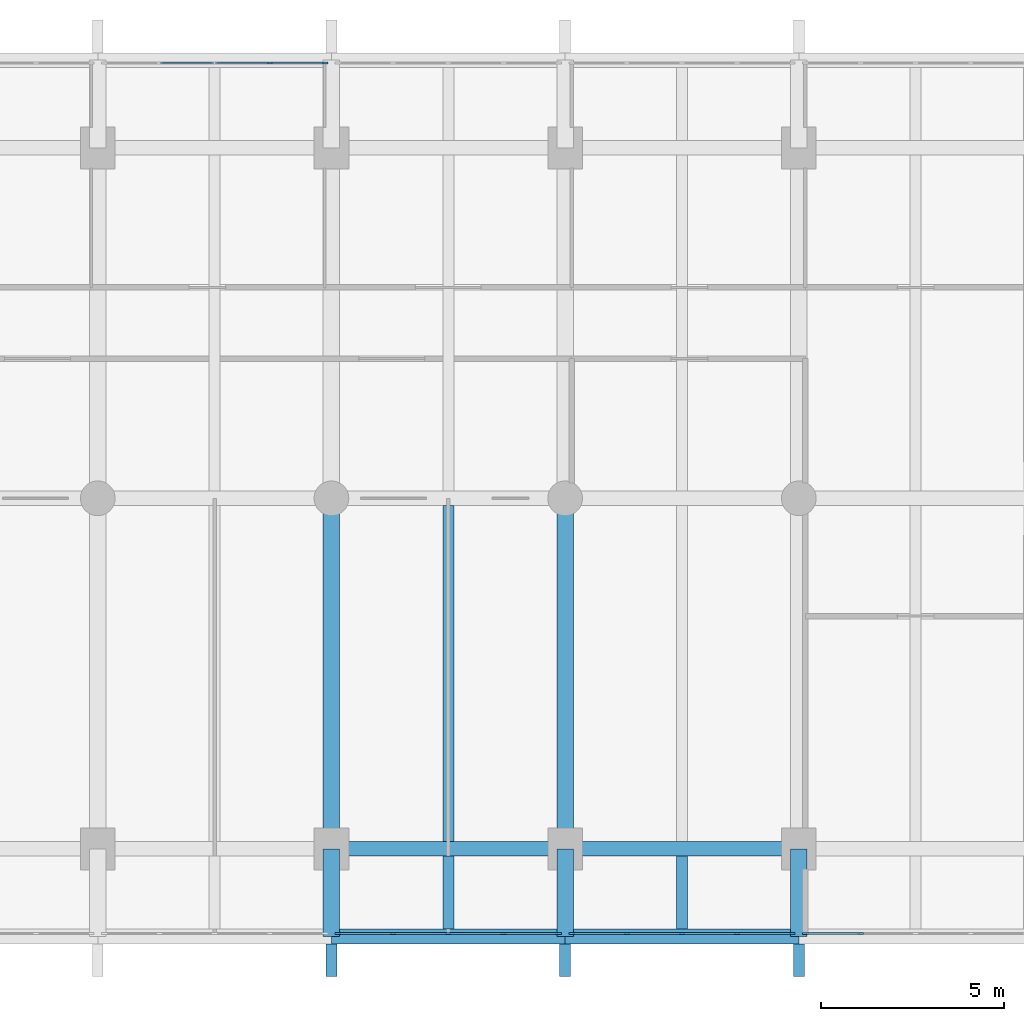
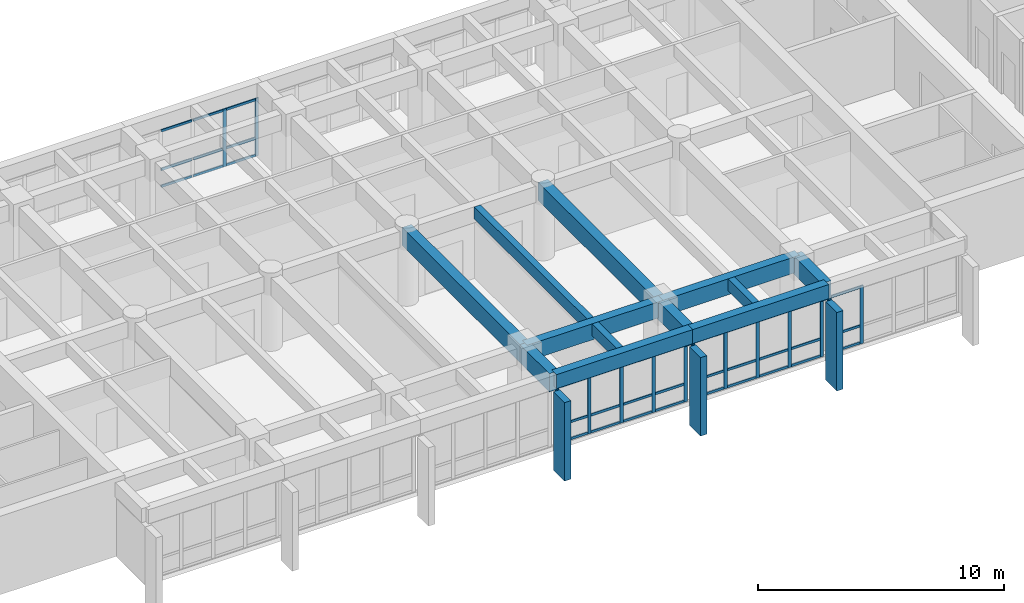
# One storey, part 4 of 15: 53 members, 12 beams, 4 elements without a shape of their own.
"""IFC4 building model written with IfcOpenShell, lengths in metres."""

from ifc_helpers import new_model, si_unit, direction, frame, origin, origin_2d, place, context, subcontext, project, spatial, rectangle, extrude, material, layer, layer_set, material_profile, profile_set, type_object, element, aggregate, save


model = new_model("IFC4")

# Units and contexts
model_context = context("Model", 3, precision=1e-05, world=origin(), true_north=direction((0.0, 1.0)))
body_context = subcontext(model_context, "Body", "Model", "MODEL_VIEW")
ifc_project = project(units=[si_unit("LENGTHUNIT", "METRE"), si_unit("AREAUNIT", "SQUARE_METRE"), si_unit("VOLUMEUNIT", "CUBIC_METRE"), si_unit("PLANEANGLEUNIT", "RADIAN"), si_unit("MASSUNIT", "GRAM", prefix="KILO")], contexts=[model_context])

# Site, building, storey
site_placement = place(None, origin())
site = spatial("IfcSite", under=ifc_project, at=site_placement, CompositionType="ELEMENT")
building_placement = place(site_placement, origin())
building = spatial("IfcBuilding", under=site, at=building_placement, Name="Fogon Plaza Fire Station and Headquarters Tower", CompositionType="ELEMENT")
storey_placement = place(building_placement, frame((0.0, 0.0, 40.5)))
storey = spatial("IfcBuildingStorey", under=building, at=storey_placement, Name="L10", CompositionType="ELEMENT", Elevation=40.5)

# Beams
ifc_material_1 = material(Name="Concrete C40", Category="concrete")
ifc_material_profile_1 = material_profile(ifc_material_1, rectangle(XDim=0.39990234375, YDim=0.699951171875, at=origin_2d()), Name="RC 400x700")
ifc_profile_set_1 = profile_set([ifc_material_profile_1], Name="Concrete C40")
beam_type_1 = type_object("IfcBeamType", Name="BEAM RC 400x700", PredefinedType="BEAM", material=ifc_profile_set_1)
beam_1_placement = place(storey_placement, frame((44.800048828125, 31.199951171875, 3.330078125), z_axis=(1.0, 0.0, 0.0), x_axis=(0.0, 1.0, 0.0)))
element("IfcBeam", 1, at=beam_1_placement, inside=storey, type_object=beam_type_1, Name="beam-L10-042", PredefinedType="BEAM", context=body_context, shape_type="SweptSolid", body=[
    extrude(rectangle(XDim=0.39990234375, YDim=0.699951171875, at=origin_2d()), origin(), (0.0, 0.0, 1.0), 6.39990234375),
])
beam_2_placement = place(storey_placement, frame((51.199951171875, 31.199951171875, 3.330078125), z_axis=(1.0, 0.0, 0.0), x_axis=(0.0, 1.0, 0.0)))
element("IfcBeam", 2, at=beam_2_placement, inside=storey, type_object=beam_type_1, Name="beam-L10-043", PredefinedType="BEAM", context=body_context, shape_type="SweptSolid", body=[
    extrude(rectangle(XDim=0.39990234375, YDim=0.699951171875, at=origin_2d()), origin(), (0.0, 0.0, 1.0), 6.400146484375),
])
ifc_material_2 = material(Name="Concrete C40", Category="concrete")
ifc_material_profile_2 = material_profile(ifc_material_2, rectangle(XDim=0.39990234375, YDim=0.800048828125, at=origin_2d()), Name="RC 400x800")
ifc_profile_set_2 = profile_set([ifc_material_profile_2], Name="Concrete C40")
beam_type_2 = type_object("IfcBeamType", Name="BEAM RC 400x800", PredefinedType="BEAM", material=ifc_profile_set_2)
beam_3_placement = place(storey_placement, frame((44.800048828125, 33.60009765625, 3.280029296875), z_axis=(1.0, 0.0, 0.0), x_axis=(0.0, 1.0, 0.0)))
element("IfcBeam", 3, at=beam_3_placement, inside=storey, type_object=beam_type_2, Name="beam-L10-024", PredefinedType="BEAM", context=body_context, shape_type="SweptSolid", body=[
    extrude(rectangle(XDim=0.39990234375, YDim=0.800048828125, at=origin_2d()), origin(), (0.0, 0.0, 1.0), 6.39990234375),
])
beam_4_placement = place(storey_placement, frame((51.199951171875, 33.60009765625, 3.280029296875), z_axis=(1.0, 0.0, 0.0), x_axis=(0.0, 1.0, 0.0)))
element("IfcBeam", 4, at=beam_4_placement, inside=storey, type_object=beam_type_2, Name="beam-L10-025", PredefinedType="BEAM", context=body_context, shape_type="SweptSolid", body=[
    extrude(rectangle(XDim=0.39990234375, YDim=0.800048828125, at=origin_2d()), origin(), (0.0, 0.0, 1.0), 6.400146484375),
])
ifc_material_3 = material(Name="Concrete C40", Category="concrete")
ifc_material_profile_3 = material_profile(ifc_material_3, rectangle(XDim=0.449951171875, YDim=0.89990234375, at=origin_2d()), Name="RC 450x900")
ifc_profile_set_3 = profile_set([ifc_material_profile_3], Name="Concrete C40")
beam_type_3 = type_object("IfcBeamType", Name="BEAM RC 450x900", PredefinedType="BEAM", material=ifc_profile_set_3)
for number, where, z_axis, x_axis, name in (
    (5, (44.800048828125, 33.60009765625, 3.22998046875), (0.0, 1.0, 0.0), (-1.0, 0.0, 0.0), "beam-L10-010"),
    (6, (51.199951171875, 33.60009765625, 3.22998046875), (0.0, 1.0, 0.0), (-1.0, 0.0, 0.0), "beam-L10-014"),
):
    element("IfcBeam", number, at=place(storey_placement, frame(where, z_axis=z_axis, x_axis=x_axis)), inside=storey, type_object=beam_type_3, Name=name, PredefinedType="BEAM", context=body_context, shape_type="SweptSolid", body=[
        extrude(rectangle(XDim=0.449951171875, YDim=0.89990234375, at=origin_2d()), origin(), (0.0, 0.0, 1.0), 9.599853515625),
    ])
ifc_material_4 = material(Name="Concrete C40", Category="concrete")
ifc_material_profile_4 = material_profile(ifc_material_4, rectangle(XDim=0.449951171875, YDim=0.89990234375, at=origin_2d()), Name="RC 450x900")
ifc_profile_set_4 = profile_set([ifc_material_profile_4], Name="Concrete C40")
beam_type_4 = type_object("IfcBeamType", Name="BEAM RC 450x900 SPAN 0.0 TO 3.0 M", PredefinedType="BEAM", material=ifc_profile_set_4)
for number, where, z_axis, x_axis, name in (
    (7, (44.800048828125, 31.199951171875, 3.22998046875), (0.0, 1.0, 0.0), (-1.0, 0.0, 0.0), "beam-L10-009"),
    (8, (51.199951171875, 31.199951171875, 3.22998046875), (0.0, 1.0, 0.0), (-1.0, 0.0, 0.0), "beam-L10-013"),
    (9, (57.60009765625, 31.199951171875, 3.22998046875), (0.0, 1.0, 0.0), (-1.0, 0.0, 0.0), "beam-L10-017"),
):
    element("IfcBeam", number, at=place(storey_placement, frame(where, z_axis=z_axis, x_axis=x_axis)), inside=storey, type_object=beam_type_4, Name=name, PredefinedType="BEAM", context=body_context, shape_type="SweptSolid", body=[
        extrude(rectangle(XDim=0.449951171875, YDim=0.89990234375, at=origin_2d()), origin(), (0.0, 0.0, 1.0), 2.400146484375),
    ])

# Curtain wall, members
ifc_material_5 = material(Name="Aluminium and glass", Category="aluminium")
ifc_layer = layer(ifc_material_5, 0.14990234375)
ifc_layer_set = layer_set([ifc_layer], Name="Aluminium and glass")
curtain_wall_type = type_object("IfcCurtainWallType", Name="Unitised Curtain Wall Run 6100x2880", PredefinedType="NOTDEFINED", material=ifc_layer_set)
curtain_wall_1_placement = place(storey_placement, origin())
curtain_wall_1 = element("IfcCurtainWall", 10, at=curtain_wall_1_placement, inside=storey, type_object=curtain_wall_type, Name="CW-6100x2880 S4 L10", PredefinedType="NOTDEFINED")
ifc_material_6 = material(Name="Aluminium", Category="aluminium")
ifc_material_profile_5 = material_profile(ifc_material_6, rectangle(XDim=0.06005859375, YDim=0.159912109375, at=origin_2d()), Name="Curtain Wall Mullion 60x160")
ifc_profile_set_5 = profile_set([ifc_material_profile_5], Name="Aluminium")
member_type_1 = type_object("IfcMemberType", Name="Curtain Wall Mullion 60x160", PredefinedType="MULLION", material=ifc_profile_set_5)
member_1_placement = place(storey_placement, frame((44.97998046875, 31.280029296875, 0.0), z_axis=(0.0, 0.0, 1.0), x_axis=(0.0, 1.0, 0.0)))
member_1 = element("IfcMember", 11, at=member_1_placement, type_object=member_type_1, Name="CW-6100x2880 mullion 1", PredefinedType="MULLION", context=body_context, shape_type="SweptSolid", body=[
    extrude(rectangle(XDim=0.06005859375, YDim=0.159912109375, at=origin_2d()), origin(), (0.0, 0.0, 1.0), 2.8798828125),
])
member_2_placement = place(storey_placement, frame((46.489990234375, 31.280029296875, 0.0), z_axis=(0.0, 0.0, 1.0), x_axis=(0.0, 1.0, 0.0)))
member_2 = element("IfcMember", 12, at=member_2_placement, type_object=member_type_1, Name="CW-6100x2880 mullion 2", PredefinedType="MULLION", context=body_context, shape_type="SweptSolid", body=[
    extrude(rectangle(XDim=0.06005859375, YDim=0.159912109375, at=origin_2d()), origin(), (0.0, 0.0, 1.0), 2.8798828125),
])
member_3_placement = place(storey_placement, frame((48.0, 31.280029296875, 0.0), z_axis=(0.0, 0.0, 1.0), x_axis=(0.0, 1.0, 0.0)))
member_3 = element("IfcMember", 13, at=member_3_placement, type_object=member_type_1, Name="CW-6100x2880 mullion 3", PredefinedType="MULLION", context=body_context, shape_type="SweptSolid", body=[
    extrude(rectangle(XDim=0.06005859375, YDim=0.159912109375, at=origin_2d()), origin(), (0.0, 0.0, 1.0), 2.8798828125),
])
member_4_placement = place(storey_placement, frame((49.510009765625, 31.280029296875, 0.0), z_axis=(0.0, 0.0, 1.0), x_axis=(0.0, 1.0, 0.0)))
member_4 = element("IfcMember", 14, at=member_4_placement, type_object=member_type_1, Name="CW-6100x2880 mullion 4", PredefinedType="MULLION", context=body_context, shape_type="SweptSolid", body=[
    extrude(rectangle(XDim=0.06005859375, YDim=0.159912109375, at=origin_2d()), origin(), (0.0, 0.0, 1.0), 2.8798828125),
])
member_5_placement = place(storey_placement, frame((51.02001953125, 31.280029296875, 0.0), z_axis=(0.0, 0.0, 1.0), x_axis=(0.0, 1.0, 0.0)))
member_5 = element("IfcMember", 15, at=member_5_placement, type_object=member_type_1, Name="CW-6100x2880 mullion 5", PredefinedType="MULLION", context=body_context, shape_type="SweptSolid", body=[
    extrude(rectangle(XDim=0.06005859375, YDim=0.159912109375, at=origin_2d()), origin(), (0.0, 0.0, 1.0), 2.8798828125),
])

curtain_wall_2_placement = place(storey_placement, origin())
curtain_wall_2 = element("IfcCurtainWall", 16, at=curtain_wall_2_placement, inside=storey, type_object=curtain_wall_type, Name="CW-6100x2880 S5 L10", PredefinedType="NOTDEFINED")
member_6_placement = place(storey_placement, frame((51.3798828125, 31.280029296875, 0.0), z_axis=(0.0, 0.0, 1.0), x_axis=(0.0, 1.0, 0.0)))
member_6 = element("IfcMember", 17, at=member_6_placement, type_object=member_type_1, Name="CW-6100x2880 mullion 1", PredefinedType="MULLION", context=body_context, shape_type="SweptSolid", body=[
    extrude(rectangle(XDim=0.06005859375, YDim=0.159912109375, at=origin_2d()), origin(), (0.0, 0.0, 1.0), 2.8798828125),
])
member_7_placement = place(storey_placement, frame((52.889892578125, 31.280029296875, 0.0), z_axis=(0.0, 0.0, 1.0), x_axis=(0.0, 1.0, 0.0)))
member_7 = element("IfcMember", 18, at=member_7_placement, type_object=member_type_1, Name="CW-6100x2880 mullion 2", PredefinedType="MULLION", context=body_context, shape_type="SweptSolid", body=[
    extrude(rectangle(XDim=0.06005859375, YDim=0.159912109375, at=origin_2d()), origin(), (0.0, 0.0, 1.0), 2.8798828125),
])
member_8_placement = place(storey_placement, frame((54.39990234375, 31.280029296875, 0.0), z_axis=(0.0, 0.0, 1.0), x_axis=(0.0, 1.0, 0.0)))
member_8 = element("IfcMember", 19, at=member_8_placement, type_object=member_type_1, Name="CW-6100x2880 mullion 3", PredefinedType="MULLION", context=body_context, shape_type="SweptSolid", body=[
    extrude(rectangle(XDim=0.06005859375, YDim=0.159912109375, at=origin_2d()), origin(), (0.0, 0.0, 1.0), 2.8798828125),
])
member_9_placement = place(storey_placement, frame((55.909912109375, 31.280029296875, 0.0), z_axis=(0.0, 0.0, 1.0), x_axis=(0.0, 1.0, 0.0)))
member_9 = element("IfcMember", 20, at=member_9_placement, type_object=member_type_1, Name="CW-6100x2880 mullion 4", PredefinedType="MULLION", context=body_context, shape_type="SweptSolid", body=[
    extrude(rectangle(XDim=0.06005859375, YDim=0.159912109375, at=origin_2d()), origin(), (0.0, 0.0, 1.0), 2.8798828125),
])
member_10_placement = place(storey_placement, frame((57.419921875, 31.280029296875, 0.0), z_axis=(0.0, 0.0, 1.0), x_axis=(0.0, 1.0, 0.0)))
member_10 = element("IfcMember", 21, at=member_10_placement, type_object=member_type_1, Name="CW-6100x2880 mullion 5", PredefinedType="MULLION", context=body_context, shape_type="SweptSolid", body=[
    extrude(rectangle(XDim=0.06005859375, YDim=0.159912109375, at=origin_2d()), origin(), (0.0, 0.0, 1.0), 2.8798828125),
])

curtain_wall_3_placement = place(storey_placement, origin())
curtain_wall_3 = element("IfcCurtainWall", 22, at=curtain_wall_3_placement, inside=storey, type_object=curtain_wall_type, Name="CW-6100x2880 S6 L10", PredefinedType="NOTDEFINED")
member_11_placement = place(storey_placement, frame((57.780029296875, 31.280029296875, 0.0), z_axis=(0.0, 0.0, 1.0), x_axis=(0.0, 1.0, 0.0)))
member_11 = element("IfcMember", 23, at=member_11_placement, type_object=member_type_1, Name="CW-6100x2880 mullion 1", PredefinedType="MULLION", context=body_context, shape_type="SweptSolid", body=[
    extrude(rectangle(XDim=0.06005859375, YDim=0.159912109375, at=origin_2d()), origin(), (0.0, 0.0, 1.0), 2.8798828125),
])
member_12_placement = place(storey_placement, frame((59.2900390625, 31.280029296875, 0.0), z_axis=(0.0, 0.0, 1.0), x_axis=(0.0, 1.0, 0.0)))
member_12 = element("IfcMember", 24, at=member_12_placement, type_object=member_type_1, Name="CW-6100x2880 mullion 2", PredefinedType="MULLION", context=body_context, shape_type="SweptSolid", body=[
    extrude(rectangle(XDim=0.06005859375, YDim=0.159912109375, at=origin_2d()), origin(), (0.0, 0.0, 1.0), 2.8798828125),
])

curtain_wall_4_placement = place(storey_placement, origin())
curtain_wall_4 = element("IfcCurtainWall", 25, at=curtain_wall_4_placement, inside=storey, type_object=curtain_wall_type, Name="CW-6100x2880 N3 L10", PredefinedType="NOTDEFINED")
member_13_placement = place(storey_placement, frame((43.110107421875, 55.1201171875, 0.0), z_axis=(0.0, 0.0, 1.0), x_axis=(0.0, 1.0, 0.0)))
member_13 = element("IfcMember", 26, at=member_13_placement, type_object=member_type_1, Name="CW-6100x2880 mullion 4", PredefinedType="MULLION", context=body_context, shape_type="SweptSolid", body=[
    extrude(rectangle(XDim=0.06005859375, YDim=0.159912109375, at=origin_2d()), origin(), (0.0, 0.0, 1.0), 2.8798828125),
])
member_14_placement = place(storey_placement, frame((44.6201171875, 55.1201171875, 0.0), z_axis=(0.0, 0.0, 1.0), x_axis=(0.0, 1.0, 0.0)))
member_14 = element("IfcMember", 27, at=member_14_placement, type_object=member_type_1, Name="CW-6100x2880 mullion 5", PredefinedType="MULLION", context=body_context, shape_type="SweptSolid", body=[
    extrude(rectangle(XDim=0.06005859375, YDim=0.159912109375, at=origin_2d()), origin(), (0.0, 0.0, 1.0), 2.8798828125),
])

# Member
ifc_material_7 = material(Name="Aluminium", Category="aluminium")
ifc_material_profile_6 = material_profile(ifc_material_7, rectangle(XDim=0.06005859375, YDim=0.1201171875, at=origin_2d()), Name="Curtain Wall Transom 60x120")
ifc_profile_set_6 = profile_set([ifc_material_profile_6], Name="Aluminium")
member_type_2 = type_object("IfcMemberType", Name="Curtain Wall Transom 60x120", PredefinedType="USERDEFINED", material=ifc_profile_set_6)
member_15_placement = place(storey_placement, frame((45.010009765625, 31.280029296875, 0.06005859375), z_axis=(1.0, 0.0, 0.0), x_axis=(0.0, 1.0, 0.0)))
member_15 = element("IfcMember", 28, at=member_15_placement, type_object=member_type_2, Name="CW-6100x2880 transom 1.1", ObjectType="TRANSOM", PredefinedType="USERDEFINED", context=body_context, shape_type="SweptSolid", body=[
    extrude(rectangle(XDim=0.06005859375, YDim=0.1201171875, at=origin_2d()), origin(), (0.0, 0.0, 1.0), 1.449951171875),
])

member_16_placement = place(storey_placement, frame((45.010009765625, 31.280029296875, 0.89990234375), z_axis=(1.0, 0.0, 0.0), x_axis=(0.0, 1.0, 0.0)))
member_16 = element("IfcMember", 29, at=member_16_placement, type_object=member_type_2, Name="CW-6100x2880 transom 1.2", ObjectType="TRANSOM", PredefinedType="USERDEFINED", context=body_context, shape_type="SweptSolid", body=[
    extrude(rectangle(XDim=0.06005859375, YDim=0.1201171875, at=origin_2d()), origin(), (0.0, 0.0, 1.0), 1.449951171875),
])

member_17_placement = place(storey_placement, frame((45.010009765625, 31.280029296875, 2.820068359375), z_axis=(1.0, 0.0, 0.0), x_axis=(0.0, 1.0, 0.0)))
member_17 = element("IfcMember", 30, at=member_17_placement, type_object=member_type_2, Name="CW-6100x2880 transom 1.3", ObjectType="TRANSOM", PredefinedType="USERDEFINED", context=body_context, shape_type="SweptSolid", body=[
    extrude(rectangle(XDim=0.06005859375, YDim=0.1201171875, at=origin_2d()), origin(), (0.0, 0.0, 1.0), 1.449951171875),
])

member_18_placement = place(storey_placement, frame((46.52001953125, 31.280029296875, 0.06005859375), z_axis=(1.0, 0.0, 0.0), x_axis=(0.0, 1.0, 0.0)))
member_18 = element("IfcMember", 31, at=member_18_placement, type_object=member_type_2, Name="CW-6100x2880 transom 2.1", ObjectType="TRANSOM", PredefinedType="USERDEFINED", context=body_context, shape_type="SweptSolid", body=[
    extrude(rectangle(XDim=0.06005859375, YDim=0.1201171875, at=origin_2d()), origin(), (0.0, 0.0, 1.0), 1.449951171875),
])

member_19_placement = place(storey_placement, frame((46.52001953125, 31.280029296875, 0.89990234375), z_axis=(1.0, 0.0, 0.0), x_axis=(0.0, 1.0, 0.0)))
member_19 = element("IfcMember", 32, at=member_19_placement, type_object=member_type_2, Name="CW-6100x2880 transom 2.2", ObjectType="TRANSOM", PredefinedType="USERDEFINED", context=body_context, shape_type="SweptSolid", body=[
    extrude(rectangle(XDim=0.06005859375, YDim=0.1201171875, at=origin_2d()), origin(), (0.0, 0.0, 1.0), 1.449951171875),
])

member_20_placement = place(storey_placement, frame((46.52001953125, 31.280029296875, 2.820068359375), z_axis=(1.0, 0.0, 0.0), x_axis=(0.0, 1.0, 0.0)))
member_20 = element("IfcMember", 33, at=member_20_placement, type_object=member_type_2, Name="CW-6100x2880 transom 2.3", ObjectType="TRANSOM", PredefinedType="USERDEFINED", context=body_context, shape_type="SweptSolid", body=[
    extrude(rectangle(XDim=0.06005859375, YDim=0.1201171875, at=origin_2d()), origin(), (0.0, 0.0, 1.0), 1.449951171875),
])

member_21_placement = place(storey_placement, frame((48.030029296875, 31.280029296875, 0.06005859375), z_axis=(1.0, 0.0, 0.0), x_axis=(0.0, 1.0, 0.0)))
member_21 = element("IfcMember", 34, at=member_21_placement, type_object=member_type_2, Name="CW-6100x2880 transom 3.1", ObjectType="TRANSOM", PredefinedType="USERDEFINED", context=body_context, shape_type="SweptSolid", body=[
    extrude(rectangle(XDim=0.06005859375, YDim=0.1201171875, at=origin_2d()), origin(), (0.0, 0.0, 1.0), 1.449951171875),
])

member_22_placement = place(storey_placement, frame((48.030029296875, 31.280029296875, 0.89990234375), z_axis=(1.0, 0.0, 0.0), x_axis=(0.0, 1.0, 0.0)))
member_22 = element("IfcMember", 35, at=member_22_placement, type_object=member_type_2, Name="CW-6100x2880 transom 3.2", ObjectType="TRANSOM", PredefinedType="USERDEFINED", context=body_context, shape_type="SweptSolid", body=[
    extrude(rectangle(XDim=0.06005859375, YDim=0.1201171875, at=origin_2d()), origin(), (0.0, 0.0, 1.0), 1.449951171875),
])

member_23_placement = place(storey_placement, frame((48.030029296875, 31.280029296875, 2.820068359375), z_axis=(1.0, 0.0, 0.0), x_axis=(0.0, 1.0, 0.0)))
member_23 = element("IfcMember", 36, at=member_23_placement, type_object=member_type_2, Name="CW-6100x2880 transom 3.3", ObjectType="TRANSOM", PredefinedType="USERDEFINED", context=body_context, shape_type="SweptSolid", body=[
    extrude(rectangle(XDim=0.06005859375, YDim=0.1201171875, at=origin_2d()), origin(), (0.0, 0.0, 1.0), 1.449951171875),
])

member_24_placement = place(storey_placement, frame((49.5400390625, 31.280029296875, 0.06005859375), z_axis=(1.0, 0.0, 0.0), x_axis=(0.0, 1.0, 0.0)))
member_24 = element("IfcMember", 37, at=member_24_placement, type_object=member_type_2, Name="CW-6100x2880 transom 4.1", ObjectType="TRANSOM", PredefinedType="USERDEFINED", context=body_context, shape_type="SweptSolid", body=[
    extrude(rectangle(XDim=0.06005859375, YDim=0.1201171875, at=origin_2d()), origin(), (0.0, 0.0, 1.0), 1.449951171875),
])

member_25_placement = place(storey_placement, frame((49.5400390625, 31.280029296875, 0.89990234375), z_axis=(1.0, 0.0, 0.0), x_axis=(0.0, 1.0, 0.0)))
member_25 = element("IfcMember", 38, at=member_25_placement, type_object=member_type_2, Name="CW-6100x2880 transom 4.2", ObjectType="TRANSOM", PredefinedType="USERDEFINED", context=body_context, shape_type="SweptSolid", body=[
    extrude(rectangle(XDim=0.06005859375, YDim=0.1201171875, at=origin_2d()), origin(), (0.0, 0.0, 1.0), 1.449951171875),
])

member_26_placement = place(storey_placement, frame((49.5400390625, 31.280029296875, 2.820068359375), z_axis=(1.0, 0.0, 0.0), x_axis=(0.0, 1.0, 0.0)))
member_26 = element("IfcMember", 39, at=member_26_placement, type_object=member_type_2, Name="CW-6100x2880 transom 4.3", ObjectType="TRANSOM", PredefinedType="USERDEFINED", context=body_context, shape_type="SweptSolid", body=[
    extrude(rectangle(XDim=0.06005859375, YDim=0.1201171875, at=origin_2d()), origin(), (0.0, 0.0, 1.0), 1.449951171875),
])

aggregate(curtain_wall_1, [member_1, member_2, member_3, member_4, member_5, member_15, member_16, member_17, member_18, member_19, member_20, member_21, member_22, member_23, member_24, member_25, member_26])

member_27_placement = place(storey_placement, frame((51.409912109375, 31.280029296875, 0.06005859375), z_axis=(1.0, 0.0, 0.0), x_axis=(0.0, 1.0, 0.0)))
member_27 = element("IfcMember", 40, at=member_27_placement, type_object=member_type_2, Name="CW-6100x2880 transom 1.1", ObjectType="TRANSOM", PredefinedType="USERDEFINED", context=body_context, shape_type="SweptSolid", body=[
    extrude(rectangle(XDim=0.06005859375, YDim=0.1201171875, at=origin_2d()), origin(), (0.0, 0.0, 1.0), 1.4501953125),
])

member_28_placement = place(storey_placement, frame((51.409912109375, 31.280029296875, 0.89990234375), z_axis=(1.0, 0.0, 0.0), x_axis=(0.0, 1.0, 0.0)))
member_28 = element("IfcMember", 41, at=member_28_placement, type_object=member_type_2, Name="CW-6100x2880 transom 1.2", ObjectType="TRANSOM", PredefinedType="USERDEFINED", context=body_context, shape_type="SweptSolid", body=[
    extrude(rectangle(XDim=0.06005859375, YDim=0.1201171875, at=origin_2d()), origin(), (0.0, 0.0, 1.0), 1.4501953125),
])

member_29_placement = place(storey_placement, frame((51.409912109375, 31.280029296875, 2.820068359375), z_axis=(1.0, 0.0, 0.0), x_axis=(0.0, 1.0, 0.0)))
member_29 = element("IfcMember", 42, at=member_29_placement, type_object=member_type_2, Name="CW-6100x2880 transom 1.3", ObjectType="TRANSOM", PredefinedType="USERDEFINED", context=body_context, shape_type="SweptSolid", body=[
    extrude(rectangle(XDim=0.06005859375, YDim=0.1201171875, at=origin_2d()), origin(), (0.0, 0.0, 1.0), 1.4501953125),
])

member_30_placement = place(storey_placement, frame((52.919921875, 31.280029296875, 0.06005859375), z_axis=(1.0, 0.0, 0.0), x_axis=(0.0, 1.0, 0.0)))
member_30 = element("IfcMember", 43, at=member_30_placement, type_object=member_type_2, Name="CW-6100x2880 transom 2.1", ObjectType="TRANSOM", PredefinedType="USERDEFINED", context=body_context, shape_type="SweptSolid", body=[
    extrude(rectangle(XDim=0.06005859375, YDim=0.1201171875, at=origin_2d()), origin(), (0.0, 0.0, 1.0), 1.4501953125),
])

member_31_placement = place(storey_placement, frame((52.919921875, 31.280029296875, 0.89990234375), z_axis=(1.0, 0.0, 0.0), x_axis=(0.0, 1.0, 0.0)))
member_31 = element("IfcMember", 44, at=member_31_placement, type_object=member_type_2, Name="CW-6100x2880 transom 2.2", ObjectType="TRANSOM", PredefinedType="USERDEFINED", context=body_context, shape_type="SweptSolid", body=[
    extrude(rectangle(XDim=0.06005859375, YDim=0.1201171875, at=origin_2d()), origin(), (0.0, 0.0, 1.0), 1.4501953125),
])

member_32_placement = place(storey_placement, frame((52.919921875, 31.280029296875, 2.820068359375), z_axis=(1.0, 0.0, 0.0), x_axis=(0.0, 1.0, 0.0)))
member_32 = element("IfcMember", 45, at=member_32_placement, type_object=member_type_2, Name="CW-6100x2880 transom 2.3", ObjectType="TRANSOM", PredefinedType="USERDEFINED", context=body_context, shape_type="SweptSolid", body=[
    extrude(rectangle(XDim=0.06005859375, YDim=0.1201171875, at=origin_2d()), origin(), (0.0, 0.0, 1.0), 1.4501953125),
])

member_33_placement = place(storey_placement, frame((54.429931640625, 31.280029296875, 0.06005859375), z_axis=(1.0, 0.0, 0.0), x_axis=(0.0, 1.0, 0.0)))
member_33 = element("IfcMember", 46, at=member_33_placement, type_object=member_type_2, Name="CW-6100x2880 transom 3.1", ObjectType="TRANSOM", PredefinedType="USERDEFINED", context=body_context, shape_type="SweptSolid", body=[
    extrude(rectangle(XDim=0.06005859375, YDim=0.1201171875, at=origin_2d()), origin(), (0.0, 0.0, 1.0), 1.449951171875),
])

member_34_placement = place(storey_placement, frame((54.429931640625, 31.280029296875, 0.89990234375), z_axis=(1.0, 0.0, 0.0), x_axis=(0.0, 1.0, 0.0)))
member_34 = element("IfcMember", 47, at=member_34_placement, type_object=member_type_2, Name="CW-6100x2880 transom 3.2", ObjectType="TRANSOM", PredefinedType="USERDEFINED", context=body_context, shape_type="SweptSolid", body=[
    extrude(rectangle(XDim=0.06005859375, YDim=0.1201171875, at=origin_2d()), origin(), (0.0, 0.0, 1.0), 1.449951171875),
])

member_35_placement = place(storey_placement, frame((54.429931640625, 31.280029296875, 2.820068359375), z_axis=(1.0, 0.0, 0.0), x_axis=(0.0, 1.0, 0.0)))
member_35 = element("IfcMember", 48, at=member_35_placement, type_object=member_type_2, Name="CW-6100x2880 transom 3.3", ObjectType="TRANSOM", PredefinedType="USERDEFINED", context=body_context, shape_type="SweptSolid", body=[
    extrude(rectangle(XDim=0.06005859375, YDim=0.1201171875, at=origin_2d()), origin(), (0.0, 0.0, 1.0), 1.449951171875),
])

member_36_placement = place(storey_placement, frame((55.93994140625, 31.280029296875, 0.06005859375), z_axis=(1.0, 0.0, 0.0), x_axis=(0.0, 1.0, 0.0)))
member_36 = element("IfcMember", 49, at=member_36_placement, type_object=member_type_2, Name="CW-6100x2880 transom 4.1", ObjectType="TRANSOM", PredefinedType="USERDEFINED", context=body_context, shape_type="SweptSolid", body=[
    extrude(rectangle(XDim=0.06005859375, YDim=0.1201171875, at=origin_2d()), origin(), (0.0, 0.0, 1.0), 1.449951171875),
])

member_37_placement = place(storey_placement, frame((55.93994140625, 31.280029296875, 0.89990234375), z_axis=(1.0, 0.0, 0.0), x_axis=(0.0, 1.0, 0.0)))
member_37 = element("IfcMember", 50, at=member_37_placement, type_object=member_type_2, Name="CW-6100x2880 transom 4.2", ObjectType="TRANSOM", PredefinedType="USERDEFINED", context=body_context, shape_type="SweptSolid", body=[
    extrude(rectangle(XDim=0.06005859375, YDim=0.1201171875, at=origin_2d()), origin(), (0.0, 0.0, 1.0), 1.449951171875),
])

member_38_placement = place(storey_placement, frame((55.93994140625, 31.280029296875, 2.820068359375), z_axis=(1.0, 0.0, 0.0), x_axis=(0.0, 1.0, 0.0)))
member_38 = element("IfcMember", 51, at=member_38_placement, type_object=member_type_2, Name="CW-6100x2880 transom 4.3", ObjectType="TRANSOM", PredefinedType="USERDEFINED", context=body_context, shape_type="SweptSolid", body=[
    extrude(rectangle(XDim=0.06005859375, YDim=0.1201171875, at=origin_2d()), origin(), (0.0, 0.0, 1.0), 1.449951171875),
])

aggregate(curtain_wall_2, [member_6, member_7, member_8, member_9, member_10, member_27, member_28, member_29, member_30, member_31, member_32, member_33, member_34, member_35, member_36, member_37, member_38])

member_39_placement = place(storey_placement, frame((57.81005859375, 31.280029296875, 0.06005859375), z_axis=(1.0, 0.0, 0.0), x_axis=(0.0, 1.0, 0.0)))
member_39 = element("IfcMember", 52, at=member_39_placement, type_object=member_type_2, Name="CW-6100x2880 transom 1.1", ObjectType="TRANSOM", PredefinedType="USERDEFINED", context=body_context, shape_type="SweptSolid", body=[
    extrude(rectangle(XDim=0.06005859375, YDim=0.1201171875, at=origin_2d()), origin(), (0.0, 0.0, 1.0), 1.449951171875),
])

member_40_placement = place(storey_placement, frame((57.81005859375, 31.280029296875, 0.89990234375), z_axis=(1.0, 0.0, 0.0), x_axis=(0.0, 1.0, 0.0)))
member_40 = element("IfcMember", 53, at=member_40_placement, type_object=member_type_2, Name="CW-6100x2880 transom 1.2", ObjectType="TRANSOM", PredefinedType="USERDEFINED", context=body_context, shape_type="SweptSolid", body=[
    extrude(rectangle(XDim=0.06005859375, YDim=0.1201171875, at=origin_2d()), origin(), (0.0, 0.0, 1.0), 1.449951171875),
])

member_41_placement = place(storey_placement, frame((57.81005859375, 31.280029296875, 2.820068359375), z_axis=(1.0, 0.0, 0.0), x_axis=(0.0, 1.0, 0.0)))
member_41 = element("IfcMember", 54, at=member_41_placement, type_object=member_type_2, Name="CW-6100x2880 transom 1.3", ObjectType="TRANSOM", PredefinedType="USERDEFINED", context=body_context, shape_type="SweptSolid", body=[
    extrude(rectangle(XDim=0.06005859375, YDim=0.1201171875, at=origin_2d()), origin(), (0.0, 0.0, 1.0), 1.449951171875),
])

aggregate(curtain_wall_3, [member_11, member_12, member_39, member_40, member_41])

member_42_placement = place(storey_placement, frame((40.1201171875, 55.1201171875, 0.06005859375), z_axis=(1.0, 0.0, 0.0), x_axis=(0.0, 1.0, 0.0)))
member_42 = element("IfcMember", 55, at=member_42_placement, type_object=member_type_2, Name="CW-6100x2880 transom 2.1", ObjectType="TRANSOM", PredefinedType="USERDEFINED", context=body_context, shape_type="SweptSolid", body=[
    extrude(rectangle(XDim=0.06005859375, YDim=0.1201171875, at=origin_2d()), origin(), (0.0, 0.0, 1.0), 1.449951171875),
])

member_43_placement = place(storey_placement, frame((40.1201171875, 55.1201171875, 0.89990234375), z_axis=(1.0, 0.0, 0.0), x_axis=(0.0, 1.0, 0.0)))
member_43 = element("IfcMember", 56, at=member_43_placement, type_object=member_type_2, Name="CW-6100x2880 transom 2.2", ObjectType="TRANSOM", PredefinedType="USERDEFINED", context=body_context, shape_type="SweptSolid", body=[
    extrude(rectangle(XDim=0.06005859375, YDim=0.1201171875, at=origin_2d()), origin(), (0.0, 0.0, 1.0), 1.449951171875),
])

member_44_placement = place(storey_placement, frame((40.1201171875, 55.1201171875, 2.820068359375), z_axis=(1.0, 0.0, 0.0), x_axis=(0.0, 1.0, 0.0)))
member_44 = element("IfcMember", 57, at=member_44_placement, type_object=member_type_2, Name="CW-6100x2880 transom 2.3", ObjectType="TRANSOM", PredefinedType="USERDEFINED", context=body_context, shape_type="SweptSolid", body=[
    extrude(rectangle(XDim=0.06005859375, YDim=0.1201171875, at=origin_2d()), origin(), (0.0, 0.0, 1.0), 1.449951171875),
])

member_45_placement = place(storey_placement, frame((41.6298828125, 55.1201171875, 0.06005859375), z_axis=(1.0, 0.0, 0.0), x_axis=(0.0, 1.0, 0.0)))
member_45 = element("IfcMember", 58, at=member_45_placement, type_object=member_type_2, Name="CW-6100x2880 transom 3.1", ObjectType="TRANSOM", PredefinedType="USERDEFINED", context=body_context, shape_type="SweptSolid", body=[
    extrude(rectangle(XDim=0.06005859375, YDim=0.1201171875, at=origin_2d()), origin(), (0.0, 0.0, 1.0), 1.4501953125),
])

member_46_placement = place(storey_placement, frame((41.6298828125, 55.1201171875, 0.89990234375), z_axis=(1.0, 0.0, 0.0), x_axis=(0.0, 1.0, 0.0)))
member_46 = element("IfcMember", 59, at=member_46_placement, type_object=member_type_2, Name="CW-6100x2880 transom 3.2", ObjectType="TRANSOM", PredefinedType="USERDEFINED", context=body_context, shape_type="SweptSolid", body=[
    extrude(rectangle(XDim=0.06005859375, YDim=0.1201171875, at=origin_2d()), origin(), (0.0, 0.0, 1.0), 1.4501953125),
])

member_47_placement = place(storey_placement, frame((41.6298828125, 55.1201171875, 2.820068359375), z_axis=(1.0, 0.0, 0.0), x_axis=(0.0, 1.0, 0.0)))
member_47 = element("IfcMember", 60, at=member_47_placement, type_object=member_type_2, Name="CW-6100x2880 transom 3.3", ObjectType="TRANSOM", PredefinedType="USERDEFINED", context=body_context, shape_type="SweptSolid", body=[
    extrude(rectangle(XDim=0.06005859375, YDim=0.1201171875, at=origin_2d()), origin(), (0.0, 0.0, 1.0), 1.4501953125),
])

member_48_placement = place(storey_placement, frame((43.139892578125, 55.1201171875, 0.06005859375), z_axis=(1.0, 0.0, 0.0), x_axis=(0.0, 1.0, 0.0)))
member_48 = element("IfcMember", 61, at=member_48_placement, type_object=member_type_2, Name="CW-6100x2880 transom 4.1", ObjectType="TRANSOM", PredefinedType="USERDEFINED", context=body_context, shape_type="SweptSolid", body=[
    extrude(rectangle(XDim=0.06005859375, YDim=0.1201171875, at=origin_2d()), origin(), (0.0, 0.0, 1.0), 1.4501953125),
])

member_49_placement = place(storey_placement, frame((43.139892578125, 55.1201171875, 0.89990234375), z_axis=(1.0, 0.0, 0.0), x_axis=(0.0, 1.0, 0.0)))
member_49 = element("IfcMember", 62, at=member_49_placement, type_object=member_type_2, Name="CW-6100x2880 transom 4.2", ObjectType="TRANSOM", PredefinedType="USERDEFINED", context=body_context, shape_type="SweptSolid", body=[
    extrude(rectangle(XDim=0.06005859375, YDim=0.1201171875, at=origin_2d()), origin(), (0.0, 0.0, 1.0), 1.4501953125),
])

member_50_placement = place(storey_placement, frame((43.139892578125, 55.1201171875, 2.820068359375), z_axis=(1.0, 0.0, 0.0), x_axis=(0.0, 1.0, 0.0)))
member_50 = element("IfcMember", 63, at=member_50_placement, type_object=member_type_2, Name="CW-6100x2880 transom 4.3", ObjectType="TRANSOM", PredefinedType="USERDEFINED", context=body_context, shape_type="SweptSolid", body=[
    extrude(rectangle(XDim=0.06005859375, YDim=0.1201171875, at=origin_2d()), origin(), (0.0, 0.0, 1.0), 1.4501953125),
])

aggregate(curtain_wall_4, [member_13, member_14, member_42, member_43, member_44, member_45, member_46, member_47, member_48, member_49, member_50])

# Beams
ifc_material_8 = material(Name="Concrete C40", Category="concrete")
ifc_material_profile_7 = material_profile(ifc_material_8, rectangle(XDim=0.300048828125, YDim=0.60009765625, at=origin_2d()), Name="RC 300x600")
ifc_profile_set_7 = profile_set([ifc_material_profile_7], Name="Concrete C40")
beam_type_5 = type_object("IfcBeamType", Name="JOIST RC 300x600", PredefinedType="JOIST", material=ifc_profile_set_7)
beam_5_placement = place(storey_placement, frame((48.0, 33.800048828125, 3.3798828125), z_axis=(0.0, 1.0, 0.0), x_axis=(-1.0, 0.0, 0.0)))
element("IfcBeam", 64, at=beam_5_placement, inside=storey, type_object=beam_type_5, Name="beam-L10-068", PredefinedType="JOIST", context=body_context, shape_type="SweptSolid", body=[
    extrude(rectangle(XDim=0.300048828125, YDim=0.60009765625, at=origin_2d()), origin(), (0.0, 0.0, 1.0), 9.199951171875),
])
ifc_material_9 = material(Name="Concrete C40", Category="concrete")
ifc_material_profile_8 = material_profile(ifc_material_9, rectangle(XDim=0.300048828125, YDim=0.60009765625, at=origin_2d()), Name="RC 300x600")
ifc_profile_set_8 = profile_set([ifc_material_profile_8], Name="Concrete C40")
beam_type_6 = type_object("IfcBeamType", Name="JOIST RC 300x600 SPAN 0.0 TO 3.0 M", PredefinedType="JOIST", material=ifc_profile_set_8)
for number, where, z_axis, x_axis, name in (
    (65, (48.0, 31.39990234375, 3.3798828125), (0.0, 1.0, 0.0), (-1.0, 0.0, 0.0), "beam-L10-067"),
    (66, (54.39990234375, 31.39990234375, 3.3798828125), (0.0, 1.0, 0.0), (-1.0, 0.0, 0.0), "beam-L10-071"),
):
    element("IfcBeam", number, at=place(storey_placement, frame(where, z_axis=z_axis, x_axis=x_axis)), inside=storey, type_object=beam_type_6, Name=name, PredefinedType="JOIST", context=body_context, shape_type="SweptSolid", body=[
        extrude(rectangle(XDim=0.300048828125, YDim=0.60009765625, at=origin_2d()), origin(), (0.0, 0.0, 1.0), 2.0),
    ])

# Members
ifc_material_10 = material(Name="Concrete C40 precast", Category="concrete")
ifc_material_profile_9 = material_profile(ifc_material_10, rectangle(XDim=0.300048828125, YDim=0.89990234375, at=origin_2d()), Name="Precast Concrete Post 300x900")
ifc_profile_set_9 = profile_set([ifc_material_profile_9], Name="Concrete C40 precast")
member_type_3 = type_object("IfcMemberType", Name="Precast Concrete Post 300x900", PredefinedType="POST", material=ifc_profile_set_9)
for number, where, z_axis, x_axis, name in (
    (67, (44.800048828125, 30.550048828125, -1.02001953125), (0.0, 0.0, 1.0), (1.0, 0.0, 0.0), "Precast Post S L10"),
    (68, (51.199951171875, 30.550048828125, -1.02001953125), (0.0, 0.0, 1.0), (1.0, 0.0, 0.0), "Precast Post S L10"),
    (69, (57.60009765625, 30.550048828125, -1.02001953125), (0.0, 0.0, 1.0), (1.0, 0.0, 0.0), "Precast Post S L10"),
):
    element("IfcMember", number, at=place(storey_placement, frame(where, z_axis=z_axis, x_axis=x_axis)), inside=storey, type_object=member_type_3, Name=name, PredefinedType="POST", context=body_context, shape_type="SweptSolid", body=[
        extrude(rectangle(XDim=0.300048828125, YDim=0.89990234375, at=origin_2d()), origin(), (0.0, 0.0, 1.0), 3.89990234375),
    ])

save(model, "model.ifc")
